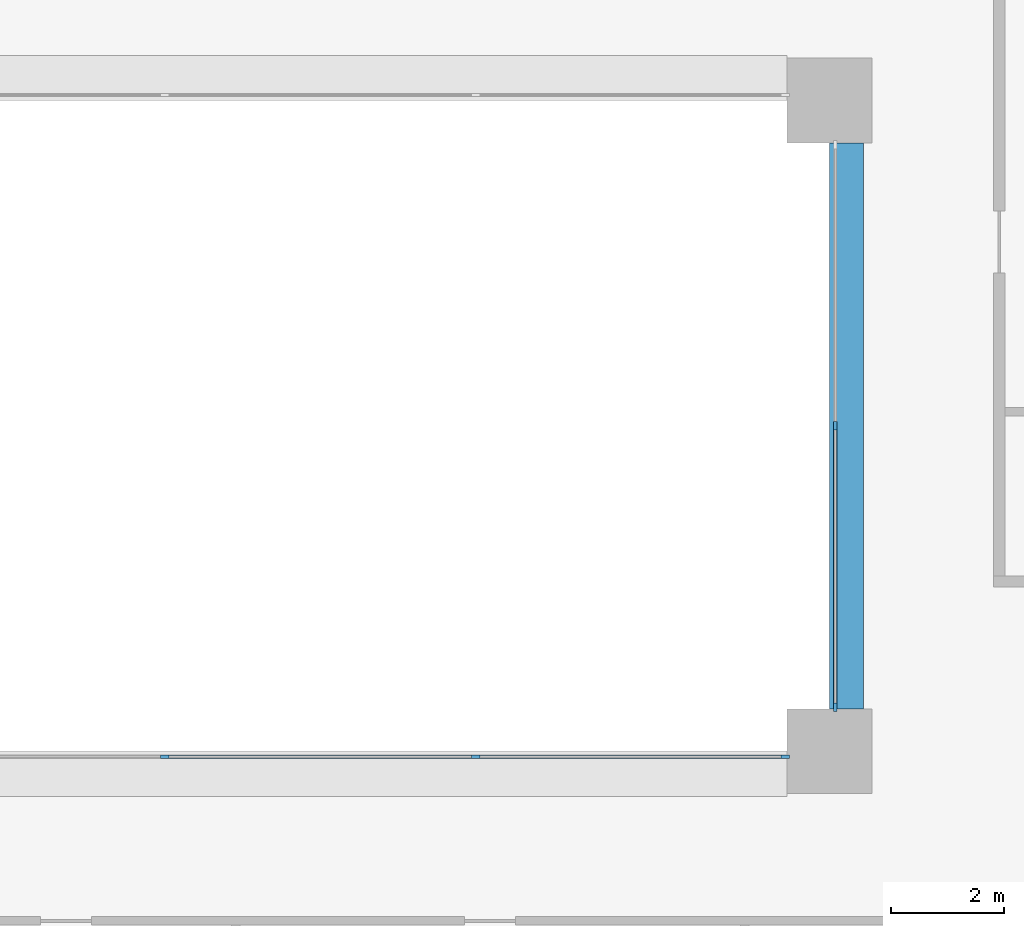
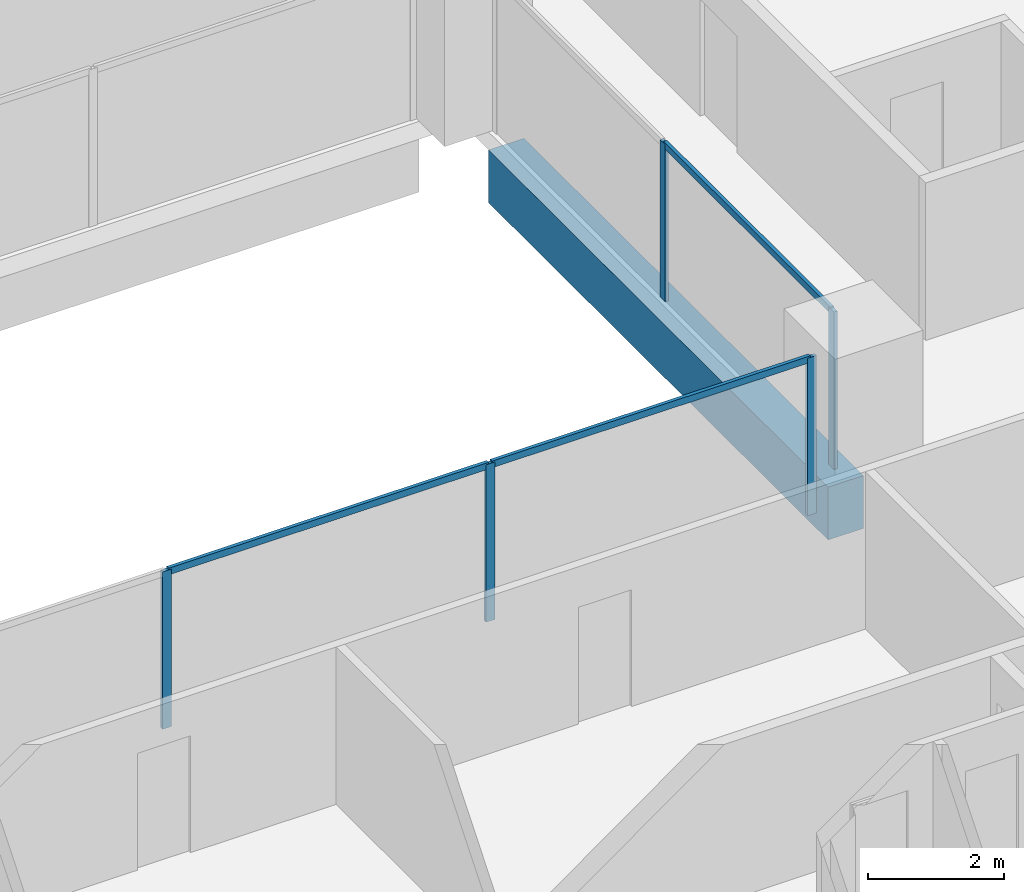
# One storey, part 4 of 19: 8 members, 1 beam, 2 elements without a shape of their own.
"""IFC4 building model written with IfcOpenShell, lengths in metres."""

from ifc_helpers import new_model, si_unit, direction, frame, origin, origin_2d, place, context, subcontext, project, spatial, rectangle, extrude, material, layer, layer_set, material_profile, profile_set, type_object, element, aggregate, save


model = new_model("IFC4")

# Units and contexts
model_context = context("Model", 3, precision=1e-05, world=origin(), true_north=direction((0.0, 1.0)))
body_context = subcontext(model_context, "Body", "Model", "MODEL_VIEW")
ifc_project = project(units=[si_unit("LENGTHUNIT", "METRE"), si_unit("AREAUNIT", "SQUARE_METRE"), si_unit("VOLUMEUNIT", "CUBIC_METRE"), si_unit("PLANEANGLEUNIT", "RADIAN"), si_unit("MASSUNIT", "GRAM", prefix="KILO")], contexts=[model_context])

# Site, building, storey
site_placement = place(None, origin())
site = spatial("IfcSite", under=ifc_project, at=site_placement, CompositionType="ELEMENT")
building_placement = place(site_placement, origin())
building = spatial("IfcBuilding", under=site, at=building_placement, Name="Brigalow Station Residences", CompositionType="ELEMENT")
storey_placement = place(building_placement, frame((0.0, 0.0, 28.949951171875)))
storey = spatial("IfcBuildingStorey", under=building, at=storey_placement, Name="L07", CompositionType="ELEMENT", Elevation=28.949951171875)

# Beam
ifc_material_1 = material(Name="Concrete C65", Category="concrete")
ifc_material_profile_1 = material_profile(ifc_material_1, rectangle(XDim=0.60009765625, YDim=0.949951171875, at=origin_2d()), Name="RC600x950")
ifc_profile_set_1 = profile_set([ifc_material_profile_1], Name="Concrete C65")
beam_type = type_object("IfcBeamType", Name="ATRIUM EDGE GIRDER 600x950 C65", PredefinedType="BEAM", material=ifc_profile_set_1)
beam_placement = place(storey_placement, frame((45.300048828125, 24.75, -0.794921875), z_axis=(0.0, 1.0, 0.0), x_axis=(-1.0, 0.0, 0.0)))
element("IfcBeam", 1, at=beam_placement, inside=storey, type_object=beam_type, Name="ATRIUM EDGE GIRDER 5 L07", PredefinedType="BEAM", context=body_context, shape_type="SweptSolid", body=[
    extrude(rectangle(XDim=0.60009765625, YDim=0.949951171875, at=origin_2d()), origin(), (0.0, 0.0, 1.0), 10.0),
])

# Curtain wall, members
ifc_material_2 = material(Name="Aluminium", Category="aluminium")
ifc_layer = layer(ifc_material_2, 0.14990234375)
ifc_layer_set = layer_set([ifc_layer], Name="ATRIUM FIRE-RATED GLAZING CURTAIN WALL")
curtain_wall_type = type_object("IfcCurtainWallType", Name="ATRIUM FIRE-RATED GLAZING CURTAIN WALL", PredefinedType="NOTDEFINED", material=ifc_layer_set)
curtain_wall_1_placement = place(storey_placement, origin())
curtain_wall_1 = element("IfcCurtainWall", 2, at=curtain_wall_1_placement, inside=storey, type_object=curtain_wall_type, Name="L07/cw/atrium-S", PredefinedType="NOTDEFINED")
ifc_material_3 = material(Name="Aluminium", Category="aluminium")
ifc_material_profile_2 = material_profile(ifc_material_3, rectangle(XDim=0.06005859375, YDim=0.14990234375, at=origin_2d()), Name="ATRIUM FIRE-RATED GLAZING MULLION 60x150")
ifc_profile_set_2 = profile_set([ifc_material_profile_2], Name="Aluminium")
member_type_1 = type_object("IfcMemberType", Name="ATRIUM FIRE-RATED GLAZING MULLION 60x150", PredefinedType="MULLION", material=ifc_profile_set_2)
member_1_placement = place(storey_placement, frame((33.25, 23.89990234375, 0.0), z_axis=(0.0, 0.0, 1.0), x_axis=(0.0, 1.0, 0.0)))
member_1 = element("IfcMember", 3, at=member_1_placement, type_object=member_type_1, Name="L07/cw/atrium-S/M01", PredefinedType="MULLION", context=body_context, shape_type="SweptSolid", body=[
    extrude(rectangle(XDim=0.06005859375, YDim=0.14990234375, at=origin_2d()), origin(), (0.0, 0.0, 1.0), 2.830078125),
])
member_2_placement = place(storey_placement, frame((38.75, 23.89990234375, 0.0), z_axis=(0.0, 0.0, 1.0), x_axis=(0.0, 1.0, 0.0)))
member_2 = element("IfcMember", 4, at=member_2_placement, type_object=member_type_1, Name="L07/cw/atrium-S/M02", PredefinedType="MULLION", context=body_context, shape_type="SweptSolid", body=[
    extrude(rectangle(XDim=0.06005859375, YDim=0.14990234375, at=origin_2d()), origin(), (0.0, 0.0, 1.0), 2.830078125),
])
member_3_placement = place(storey_placement, frame((44.219970703125, 23.89990234375, 0.0), z_axis=(0.0, 0.0, 1.0), x_axis=(0.0, 1.0, 0.0)))
member_3 = element("IfcMember", 5, at=member_3_placement, type_object=member_type_1, Name="L07/cw/atrium-S/M03", PredefinedType="MULLION", context=body_context, shape_type="SweptSolid", body=[
    extrude(rectangle(XDim=0.06005859375, YDim=0.14990234375, at=origin_2d()), origin(), (0.0, 0.0, 1.0), 2.830078125),
])

curtain_wall_2_placement = place(storey_placement, origin())
curtain_wall_2 = element("IfcCurtainWall", 6, at=curtain_wall_2_placement, inside=storey, type_object=curtain_wall_type, Name="L07/cw/atrium-E", PredefinedType="NOTDEFINED")
member_4_placement = place(storey_placement, frame((45.10009765625, 24.780029296875, 0.0), z_axis=(0.0, 0.0, 1.0), x_axis=(-1.0, 0.0, 0.0)))
member_4 = element("IfcMember", 7, at=member_4_placement, type_object=member_type_1, Name="L07/cw/atrium-E/M00", PredefinedType="MULLION", context=body_context, shape_type="SweptSolid", body=[
    extrude(rectangle(XDim=0.06005859375, YDim=0.14990234375, at=origin_2d()), origin(), (0.0, 0.0, 1.0), 2.830078125),
])
member_5_placement = place(storey_placement, frame((45.10009765625, 29.75, 0.0), z_axis=(0.0, 0.0, 1.0), x_axis=(-1.0, 0.0, 0.0)))
member_5 = element("IfcMember", 8, at=member_5_placement, type_object=member_type_1, Name="L07/cw/atrium-E/M01", PredefinedType="MULLION", context=body_context, shape_type="SweptSolid", body=[
    extrude(rectangle(XDim=0.06005859375, YDim=0.14990234375, at=origin_2d()), origin(), (0.0, 0.0, 1.0), 2.830078125),
])

# Member
ifc_material_4 = material(Name="Aluminium", Category="aluminium")
ifc_material_profile_3 = material_profile(ifc_material_4, rectangle(XDim=0.06005859375, YDim=0.1201171875, at=origin_2d()), Name="ATRIUM FIRE-RATED GLAZING TRANSOM 60x120")
ifc_profile_set_3 = profile_set([ifc_material_profile_3], Name="Aluminium")
member_type_2 = type_object("IfcMemberType", Name="ATRIUM FIRE-RATED GLAZING TRANSOM 60x120", PredefinedType="USERDEFINED", material=ifc_profile_set_3)
member_6_placement = place(storey_placement, frame((33.280029296875, 23.89990234375, 2.800048828125), z_axis=(1.0, 0.0, 0.0), x_axis=(0.0, 1.0, 0.0)))
member_6 = element("IfcMember", 9, at=member_6_placement, type_object=member_type_2, Name="L07/cw/atrium-S/T01-00", ObjectType="TRANSOM", PredefinedType="USERDEFINED", context=body_context, shape_type="SweptSolid", body=[
    extrude(rectangle(XDim=0.06005859375, YDim=0.1201171875, at=origin_2d()), origin(), (0.0, 0.0, 1.0), 5.43994140625),
])

member_7_placement = place(storey_placement, frame((38.780029296875, 23.89990234375, 2.800048828125), z_axis=(1.0, 0.0, 0.0), x_axis=(0.0, 1.0, 0.0)))
member_7 = element("IfcMember", 10, at=member_7_placement, type_object=member_type_2, Name="L07/cw/atrium-S/T02-00", ObjectType="TRANSOM", PredefinedType="USERDEFINED", context=body_context, shape_type="SweptSolid", body=[
    extrude(rectangle(XDim=0.06005859375, YDim=0.1201171875, at=origin_2d()), origin(), (0.0, 0.0, 1.0), 5.409912109375),
])

aggregate(curtain_wall_1, [member_1, member_2, member_3, member_6, member_7])

member_8_placement = place(storey_placement, frame((45.10009765625, 24.81005859375, 2.800048828125), z_axis=(0.0, 1.0, 0.0), x_axis=(-1.0, 0.0, 0.0)))
member_8 = element("IfcMember", 11, at=member_8_placement, type_object=member_type_2, Name="L07/cw/atrium-E/T00-00", ObjectType="TRANSOM", PredefinedType="USERDEFINED", context=body_context, shape_type="SweptSolid", body=[
    extrude(rectangle(XDim=0.06005859375, YDim=0.1201171875, at=origin_2d()), origin(), (0.0, 0.0, 1.0), 4.909912109375),
])

aggregate(curtain_wall_2, [member_4, member_5, member_8])

save(model, "model.ifc")
